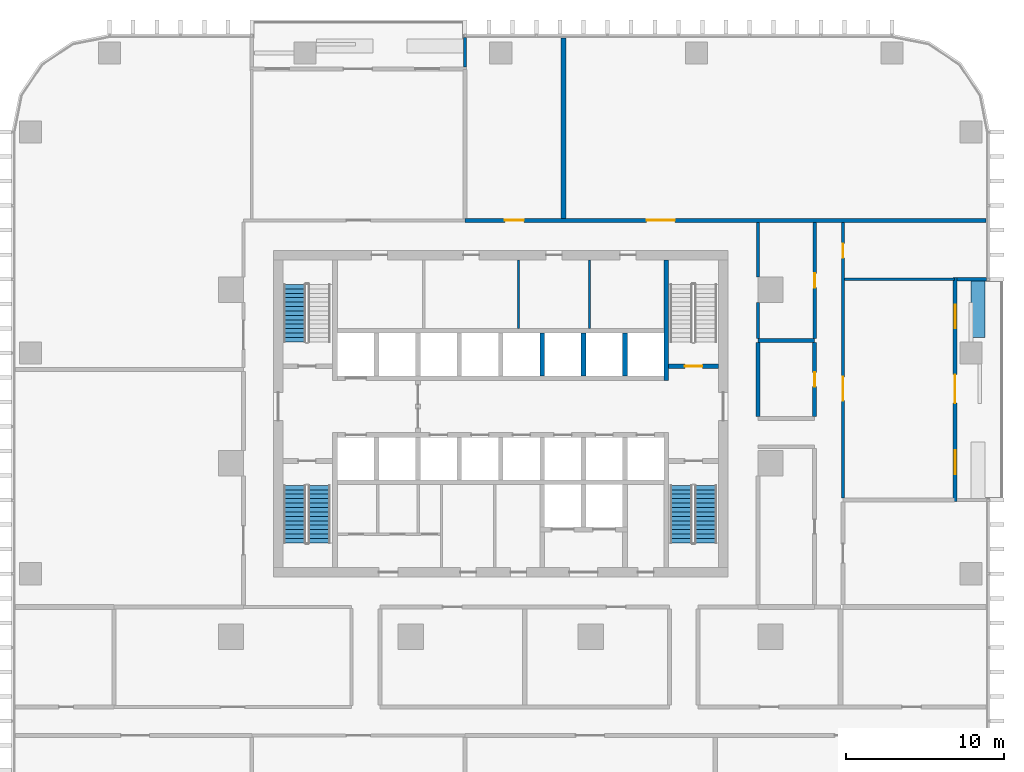
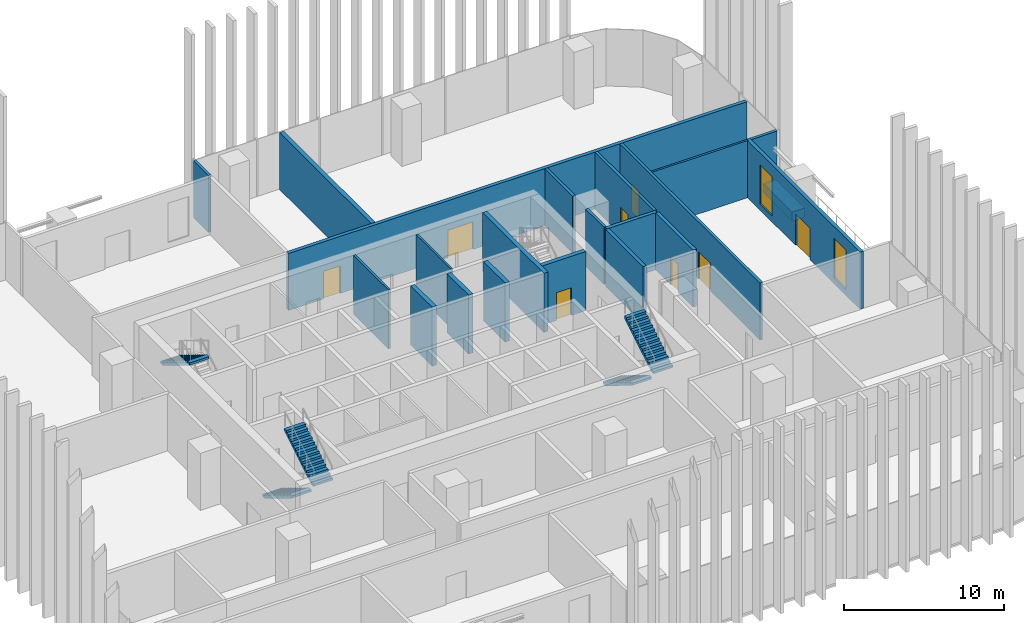
# One storey, part 10 of 17: 21 walls, 8 doors, 5 stair flights, 2 windows, 10 openings, 3 elements without a shape of their own.
"""IFC4 building model written with IfcOpenShell, lengths in metres."""

from ifc_helpers import new_model, si_unit, direction, frame, frame_2d, origin, place, context, subcontext, project, spatial, polyline, rectangle, outline, extrude, material, layer, layer_set, type_object, element, fill, aggregate, save


model = new_model("IFC4")

# Units and contexts
model_context = context("Model", 3, precision=1e-05, world=origin(), true_north=direction((0.0, 1.0)))
body_context = subcontext(model_context, "Body", "Model", "MODEL_VIEW")
ifc_project = project(units=[si_unit("LENGTHUNIT", "METRE"), si_unit("AREAUNIT", "SQUARE_METRE"), si_unit("VOLUMEUNIT", "CUBIC_METRE"), si_unit("PLANEANGLEUNIT", "RADIAN"), si_unit("MASSUNIT", "GRAM", prefix="KILO")], contexts=[model_context])

# Site, building, storey
site_placement = place(None, origin())
site = spatial("IfcSite", under=ifc_project, at=site_placement, CompositionType="ELEMENT")
building_placement = place(site_placement, origin())
building = spatial("IfcBuilding", under=site, at=building_placement, Name="Mopane Tessera Tower", CompositionType="ELEMENT")
storey_placement = place(building_placement, frame((0.0, 0.0, 74.199951171875)))
storey = spatial("IfcBuildingStorey", under=building, at=storey_placement, Name="L14", CompositionType="ELEMENT", Elevation=74.199951171875)

# Walls
ifc_material_1 = material(Name="Fire-rated gypsum board partition")
ifc_layer_1 = layer(ifc_material_1, 0.14990234375)
ifc_layer_set_1 = layer_set([ifc_layer_1], Name="Fire-rated gypsum board partition")
wall_type_1 = type_object("IfcWallType", Name="Core room partition 150 mm", PredefinedType="PARTITIONING", material=ifc_layer_set_1)
for number, where, z_axis, x_axis, name in (
    (1, (1.125, 8.550048828125, 0.0), (0.0, 0.0, 1.0), (0.0, 1.0, 0.0), "L14 Room partition"),
    (2, (5.625, 8.550048828125, 0.0), (0.0, 0.0, 1.0), (0.0, 1.0, 0.0), "L14 Room partition"),
):
    element("IfcWall", number, at=place(storey_placement, frame(where, z_axis=z_axis, x_axis=x_axis)), inside=storey, type_object=wall_type_1, Name=name, PredefinedType="PARTITIONING", context=body_context, shape_type="SweptSolid", body=[
        extrude(rectangle(XDim=4.349853515625, YDim=0.14990234375, at=frame_2d((2.1748046875, 0.0))), origin(), (0.0, 0.0, 1.0), 4.5),
    ])
ifc_material_2 = material(Name="Concrete C60/75", Category="concrete")
ifc_layer_2 = layer(ifc_material_2, 0.300048828125)
ifc_layer_set_2 = layer_set([ifc_layer_2], Name="Concrete C60/75")
wall_type_2 = type_object("IfcWallType", Name="Core spine wall 300 mm", PredefinedType="SHEAR", material=ifc_layer_set_2)
wall_1_placement = place(storey_placement, frame((10.5, 5.25, 0.0), z_axis=(0.0, 0.0, 1.0), x_axis=(0.0, 1.0, 0.0)))
element("IfcWall", 3, at=wall_1_placement, inside=storey, type_object=wall_type_2, Name="L14 Core spine wall", PredefinedType="SHEAR", context=body_context, shape_type="SweptSolid", body=[
    extrude(rectangle(XDim=7.64990234375, YDim=0.300048828125, at=frame_2d((3.824951171875, 0.0))), origin(), (0.0, 0.0, 1.0), 4.5),
])
ifc_material_3 = material(Name="Gypsum board on steel studs, two layers each face, mineral wool infill", Category="steel")
ifc_layer_3 = layer(ifc_material_3, 0.199951171875)
ifc_layer_set_3 = layer_set([ifc_layer_3], Name="Gypsum board on steel studs, two layers each face, mineral wool infill")
wall_type_3 = type_object("IfcWallType", Name="Gypsum board corridor wall 200, rated EI 60", PredefinedType="PARTITIONING", material=ifc_layer_set_3)
wall_2_placement = place(storey_placement, frame((16.300048828125, 7.909912109375, 0.0), z_axis=(0.0, 0.0, 1.0), x_axis=(0.0, 1.0, 0.0)))
element("IfcWall", 4, at=wall_2_placement, inside=storey, type_object=wall_type_3, Name="Partition L14:039", PredefinedType="PARTITIONING", context=body_context, shape_type="SweptSolid", body=[
    extrude(rectangle(XDim=2.2900390625, YDim=0.199951171875, at=frame_2d((1.14501953125, 0.0))), origin(), (0.0, 0.0, 1.0), 4.35009765625),
])
wall_3_placement = place(storey_placement, frame((16.300048828125, 11.800048828125, 0.0), z_axis=(0.0, 0.0, 1.0), x_axis=(0.0, 1.0, 0.0)))
element("IfcWall", 5, at=wall_3_placement, inside=storey, type_object=wall_type_3, Name="Partition L14:040", PredefinedType="PARTITIONING", context=body_context, shape_type="SweptSolid", body=[
    extrude(rectangle(XDim=3.474853515625, YDim=0.199951171875, at=frame_2d((1.7373046875, 0.0))), origin(), (0.0, 0.0, 1.0), 4.35009765625),
])

# Wall, opening, door
wall_4_placement = place(storey_placement, frame((19.89990234375, 7.909912109375, 0.0), z_axis=(0.0, 0.0, 1.0), x_axis=(0.0, 1.0, 0.0)))
wall_4 = element("IfcWall", 6, at=wall_4_placement, inside=storey, type_object=wall_type_3, Name="Partition L14:043", PredefinedType="PARTITIONING", context=body_context, shape_type="SweptSolid", body=[
    extrude(rectangle(XDim=7.364990234375, YDim=0.199951171875, at=frame_2d((3.6826171875, 0.0))), origin(), (0.0, 0.0, 1.0), 4.35009765625),
])
opening_1_placement = place(wall_4_placement, frame((3.232421875, 0.0, 0.0)))
opening_1 = element("IfcOpeningElement", 7, at=opening_1_placement, cuts=wall_4, Name="Opening L14-16", PredefinedType="OPENING", context=body_context, shape_type="SweptSolid", body=[
    extrude(rectangle(XDim=0.89990234375, YDim=2.10009765625, at=frame_2d((0.449951171875, 1.050048828125))), frame((0.0, 0.112060546875, 0.0), z_axis=(0.0, -1.0, 0.0), x_axis=(1.0, 0.0, 0.0)), (0.0, 0.0, 1.0), 0.223876953125),
])
ifc_material_4 = material(Name="Timber veneered steel-framed fire door", Category="steel")
door_type_1 = type_object("IfcDoorType", Name="Fire door FD60 900 x 2100", OperationType="SINGLE_SWING_LEFT", PredefinedType="DOOR", material=ifc_material_4)
door_1_placement = place(opening_1_placement, origin())
door_1 = element("IfcDoor", 8, at=door_1_placement, inside=storey, type_object=door_type_1, Name="Door L14-16", ObjectType="D10A", OperationType="SINGLE_SWING_LEFT", OverallHeight=2.10009765625, OverallWidth=0.89990234375, PredefinedType="DOOR", context=body_context, shape_type="SweptSolid", body=[
    extrude(rectangle(XDim=0.89990234375, YDim=2.10009765625, at=frame_2d((0.449951171875, 1.050048828125))), frame((0.0, 0.02490234375, 0.0), z_axis=(0.0, -1.0, 0.0), x_axis=(1.0, 0.0, 0.0)), (0.0, 0.0, 1.0), 0.050048828125),
])
fill(opening_1, door_1)

# Wall, openings, doors
wall_5_placement = place(storey_placement, frame((21.699951171875, -2.2099609375, 0.0), z_axis=(0.0, 0.0, 1.0), x_axis=(0.0, 1.0, 0.0)))
wall_5 = element("IfcWall", 9, at=wall_5_placement, inside=storey, type_object=wall_type_3, Name="Partition L14:047", PredefinedType="PARTITIONING", context=body_context, shape_type="SweptSolid", body=[
    extrude(rectangle(XDim=17.48486328125, YDim=0.199951171875, at=frame_2d((8.742431640625, 0.0))), origin(), (0.0, 0.0, 1.0), 4.35009765625),
])
opening_2_placement = place(wall_5_placement, frame((15.22998046875, 0.0, 0.0)))
opening_2 = element("IfcOpeningElement", 10, at=opening_2_placement, cuts=wall_5, Name="Opening L14-04", PredefinedType="OPENING", context=body_context, shape_type="SweptSolid", body=[
    extrude(rectangle(XDim=0.89990234375, YDim=2.10009765625, at=frame_2d((0.449951171875, 1.050048828125))), frame((0.0, 0.112060546875, 0.0), z_axis=(0.0, -1.0, 0.0), x_axis=(1.0, 0.0, 0.0)), (0.0, 0.0, 1.0), 0.223876953125),
])
opening_3_placement = place(wall_5_placement, frame((6.1875, 0.0, 0.0)))
opening_3 = element("IfcOpeningElement", 11, at=opening_3_placement, cuts=wall_5, Name="Opening L14-21", PredefinedType="OPENING", context=body_context, shape_type="SweptSolid", body=[
    extrude(rectangle(XDim=1.5, YDim=2.10009765625, at=frame_2d((0.75, 1.050048828125))), frame((0.0, 0.112060546875, 0.0), z_axis=(0.0, -1.0, 0.0), x_axis=(1.0, 0.0, 0.0)), (0.0, 0.0, 1.0), 0.223876953125),
])
door_2_placement = place(opening_2_placement, origin())
door_2 = element("IfcDoor", 12, at=door_2_placement, inside=storey, type_object=door_type_1, Name="Door L14-04", ObjectType="D10A", OperationType="SINGLE_SWING_RIGHT", OverallHeight=2.10009765625, OverallWidth=0.89990234375, PredefinedType="DOOR", context=body_context, shape_type="SweptSolid", body=[
    extrude(rectangle(XDim=0.89990234375, YDim=2.10009765625, at=frame_2d((0.449951171875, 1.050048828125))), frame((0.0, 0.02490234375, 0.0), z_axis=(0.0, -1.0, 0.0), x_axis=(1.0, 0.0, 0.0)), (0.0, 0.0, 1.0), 0.050048828125),
])
fill(opening_2, door_2)
ifc_material_5 = material(Name="Timber veneered steel-framed fire door", Category="steel")
door_type_2 = type_object("IfcDoorType", Name="Fire door pair FD60 1500 x 2100", OperationType="DOUBLE_DOOR_SINGLE_SWING", PredefinedType="DOOR", material=ifc_material_5)
door_3_placement = place(opening_3_placement, origin())
door_3 = element("IfcDoor", 13, at=door_3_placement, inside=storey, type_object=door_type_2, Name="Door L14-21", ObjectType="D17A", OperationType="DOUBLE_DOOR_SINGLE_SWING", OverallHeight=2.10009765625, OverallWidth=1.5, PredefinedType="DOOR", context=body_context, shape_type="SweptSolid", body=[
    extrude(rectangle(XDim=1.5, YDim=2.10009765625, at=frame_2d((0.75, 1.050048828125))), frame((0.0, 0.02490234375, 0.0), z_axis=(0.0, -1.0, 0.0), x_axis=(1.0, 0.0, 0.0)), (0.0, 0.0, 1.0), 0.050048828125),
])
fill(opening_3, door_3)

# Wall
ifc_material_6 = material(Name="Gypsum board on steel studs, mineral wool infill", Category="steel")
ifc_layer_4 = layer(ifc_material_6, 0.14990234375)
ifc_layer_set_4 = layer_set([ifc_layer_4], Name="Gypsum board on steel studs, mineral wool infill")
wall_type_4 = type_object("IfcWallType", Name="Gypsum board partition 150, rated EI 60", PredefinedType="PARTITIONING", material=ifc_layer_set_4)
wall_6_placement = place(storey_placement, frame((21.800048828125, 11.6650390625, 0.0), z_axis=(0.0, 0.0, 1.0), x_axis=(1.0, 0.0, 0.0)))
element("IfcWall", 14, at=wall_6_placement, inside=storey, type_object=wall_type_4, Name="Partition L14:020", PredefinedType="PARTITIONING", context=body_context, shape_type="SweptSolid", body=[
    extrude(rectangle(XDim=6.949951171875, YDim=0.14990234375, at=frame_2d((3.47509765625, 0.0))), origin(), (0.0, 0.0, 1.0), 4.35009765625),
])

# Wall, opening, door
ifc_material_7 = material(Name="Concrete C50/60", Category="concrete")
ifc_layer_5 = layer(ifc_material_7, 0.300048828125)
ifc_layer_set_5 = layer_set([ifc_layer_5], Name="Concrete C50/60")
wall_type_5 = type_object("IfcWallType", Name="Lift and stair shaft wall 300 mm", PredefinedType="SOLIDWALL", material=ifc_layer_set_5)
wall_7_placement = place(storey_placement, frame((10.64990234375, 6.14990234375, 0.0), z_axis=(0.0, 0.0, 1.0), x_axis=(1.0, 0.0, 0.0)))
wall_7 = element("IfcWall", 15, at=wall_7_placement, inside=storey, type_object=wall_type_5, Name="L14 Stair enclosure wall", PredefinedType="SOLIDWALL", context=body_context, shape_type="SweptSolid", body=[
    extrude(rectangle(XDim=3.150146484375, YDim=0.300048828125, at=frame_2d((1.5751953125, 0.0))), origin(), (0.0, 0.0, 1.0), 4.5),
])
opening_4_placement = place(wall_7_placement, frame((1.02490234375, 0.0, 0.0)))
opening_4 = element("IfcOpeningElement", 16, at=opening_4_placement, cuts=wall_7, Name="Opening SD1", PredefinedType="OPENING", context=body_context, shape_type="SweptSolid", body=[
    extrude(rectangle(XDim=1.10009765625, YDim=2.10009765625, at=frame_2d((0.550048828125, 1.050048828125))), frame((0.0, 0.162109375, 0.0), z_axis=(0.0, -1.0, 0.0), x_axis=(1.0, 0.0, 0.0)), (0.0, 0.0, 1.0), 0.323974609375),
])
ifc_material_8 = material(Name="Steel fire door", Category="steel")
door_type_3 = type_object("IfcDoorType", Name="Stair fire door 1100 x 2100", OperationType="SINGLE_SWING_LEFT", PredefinedType="DOOR", material=ifc_material_8)
door_4_placement = place(opening_4_placement, origin())
door_4 = element("IfcDoor", 17, at=door_4_placement, inside=storey, type_object=door_type_3, Name="L14 Stair door ST4", OperationType="SINGLE_SWING_RIGHT", OverallHeight=2.10009765625, OverallWidth=1.10009765625, PredefinedType="DOOR", context=body_context, shape_type="SweptSolid", body=[
    extrude(rectangle(XDim=1.10009765625, YDim=2.10009765625, at=frame_2d((0.550048828125, 1.050048828125))), frame((0.0, 0.02490234375, 0.0), z_axis=(0.0, -1.0, 0.0), x_axis=(1.0, 0.0, 0.0)), (0.0, 0.0, 1.0), 0.050048828125),
])
fill(opening_4, door_4)

# Walls
for number, where, z_axis, x_axis, name in (
    (18, (2.625, 5.550048828125, 0.0), (0.0, 0.0, 1.0), (0.0, 1.0, 0.0), "L14 Lift shaft wall"),
    (19, (5.25, 5.550048828125, 0.0), (0.0, 0.0, 1.0), (0.0, 1.0, 0.0), "L14 Lift shaft wall"),
    (20, (7.875, 5.550048828125, 0.0), (0.0, 0.0, 1.0), (0.0, 1.0, 0.0), "L14 Lift shaft wall"),
):
    element("IfcWall", number, at=place(storey_placement, frame(where, z_axis=z_axis, x_axis=x_axis)), inside=storey, type_object=wall_type_5, Name=name, PredefinedType="SOLIDWALL", context=body_context, shape_type="SweptSolid", body=[
        extrude(rectangle(XDim=2.699951171875, YDim=0.300048828125, at=frame_2d((1.35009765625, 0.0))), origin(), (0.0, 0.0, 1.0), 4.5),
    ])
ifc_material_9 = material(Name="Reinforced concrete C32/40 with waterproofing", Category="concrete")
ifc_layer_6 = layer(ifc_material_9, 0.89990234375)
ifc_layer_set_6 = layer_set([ifc_layer_6], Name="Reinforced concrete C32/40 with waterproofing")
wall_type_6 = type_object("IfcWallType", Name="Planter trough 3600 x 900", PredefinedType="STANDARD", material=ifc_layer_set_6)
wall_8_placement = place(storey_placement, frame((30.25, 7.966552734375, 0.0), z_axis=(0.0, 0.0, 1.0), x_axis=(0.0, 1.0, 0.0)))
element("IfcWall", 21, at=wall_8_placement, inside=storey, type_object=wall_type_6, Name="e:nw:L14:N1:pl1", PredefinedType="STANDARD", context=body_context, shape_type="SweptSolid", body=[
    extrude(rectangle(XDim=3.60009765625, YDim=0.89990234375, at=frame_2d((1.800048828125, 0.0))), origin(), (0.0, 0.0, 1.0), 0.699951171875),
])
ifc_material_10 = material(Name="Plastered concrete blockwork C20/25", Category="masonry")
ifc_layer_7 = layer(ifc_material_10, 0.300048828125)
ifc_layer_set_7 = layer_set([ifc_layer_7], Name="Plastered concrete blockwork C20/25")
wall_type_7 = type_object("IfcWallType", Name="Plastered blockwork separation wall 300, rated EI 120", PredefinedType="PARTITIONING", material=ifc_layer_set_7)
wall_9_placement = place(storey_placement, frame((3.985107421875, 15.52490234375, 0.0), z_axis=(0.0, 0.0, 1.0), x_axis=(0.0, 1.0, 0.0)))
element("IfcWall", 22, at=wall_9_placement, inside=storey, type_object=wall_type_7, Name="Partition L14:035", PredefinedType="PARTITIONING", context=body_context, shape_type="SweptSolid", body=[
    extrude(rectangle(XDim=11.425048828125, YDim=0.300048828125, at=frame_2d((5.71240234375, 0.0))), origin(), (0.0, 0.0, 1.0), 4.35009765625),
])
ifc_material_11 = material(Name="Plastered concrete blockwork C20/25", Category="masonry")
ifc_layer_8 = layer(ifc_material_11, 0.25)
ifc_layer_set_8 = layer_set([ifc_layer_8], Name="Plastered concrete blockwork C20/25")
wall_type_8 = type_object("IfcWallType", Name="Plastered blockwork wall 250, rated EI 120", PredefinedType="PARTITIONING", material=ifc_layer_set_8)
wall_10_placement = place(storey_placement, frame((16.300048828125, 7.784912109375, 0.0), z_axis=(0.0, 0.0, 1.0), x_axis=(1.0, 0.0, 0.0)))
element("IfcWall", 23, at=wall_10_placement, inside=storey, type_object=wall_type_8, Name="Partition L14:019", PredefinedType="PARTITIONING", context=body_context, shape_type="SweptSolid", body=[
    extrude(rectangle(XDim=3.599853515625, YDim=0.25, at=frame_2d((1.7998046875, 0.0))), origin(), (0.0, 0.0, 1.0), 4.35009765625),
])

# Wall, openings, doors
wall_11_placement = place(storey_placement, frame((-2.2548828125, 15.39990234375, 0.0), z_axis=(0.0, 0.0, 1.0), x_axis=(1.0, 0.0, 0.0)))
wall_11 = element("IfcWall", 24, at=wall_11_placement, inside=storey, type_object=wall_type_8, Name="Partition L14:022", PredefinedType="PARTITIONING", context=body_context, shape_type="SweptSolid", body=[
    extrude(rectangle(XDim=33.0048828125, YDim=0.25, at=frame_2d((16.50244140625, 0.0))), origin(), (0.0, 0.0, 1.0), 4.35009765625),
])
opening_5_placement = place(wall_11_placement, frame((11.49755859375, 0.0, 0.0)))
opening_5 = element("IfcOpeningElement", 25, at=opening_5_placement, cuts=wall_11, Name="Opening L14-14", PredefinedType="OPENING", context=body_context, shape_type="SweptSolid", body=[
    extrude(rectangle(XDim=1.800048828125, YDim=2.10009765625, at=frame_2d((0.89990234375, 1.050048828125))), frame((0.0, 0.136962890625, 0.0), z_axis=(0.0, -1.0, 0.0), x_axis=(1.0, 0.0, 0.0)), (0.0, 0.0, 1.0), 0.27392578125),
])
opening_6_placement = place(wall_11_placement, frame((2.52001953125, 0.0, 0.0)))
opening_6 = element("IfcOpeningElement", 26, at=opening_6_placement, cuts=wall_11, Name="Opening L14-17", PredefinedType="OPENING", context=body_context, shape_type="SweptSolid", body=[
    extrude(rectangle(XDim=1.199951171875, YDim=2.10009765625, at=frame_2d((0.60009765625, 1.050048828125))), frame((0.0, 0.136962890625, 0.0), z_axis=(0.0, -1.0, 0.0), x_axis=(1.0, 0.0, 0.0)), (0.0, 0.0, 1.0), 0.27392578125),
])
ifc_material_12 = material(Name="Timber veneered steel-framed fire door", Category="steel")
door_type_4 = type_object("IfcDoorType", Name="Fire door FD120 1200 x 2100", OperationType="SINGLE_SWING_LEFT", PredefinedType="DOOR", material=ifc_material_12)
door_5_placement = place(opening_6_placement, origin())
door_5 = element("IfcDoor", 27, at=door_5_placement, inside=storey, type_object=door_type_4, Name="Door L14-17", ObjectType="D15B", OperationType="SINGLE_SWING_LEFT", OverallHeight=2.10009765625, OverallWidth=1.199951171875, PredefinedType="DOOR", context=body_context, shape_type="SweptSolid", body=[
    extrude(rectangle(XDim=1.199951171875, YDim=2.10009765625, at=frame_2d((0.60009765625, 1.050048828125))), frame((0.0, 0.02490234375, 0.0), z_axis=(0.0, -1.0, 0.0), x_axis=(1.0, 0.0, 0.0)), (0.0, 0.0, 1.0), 0.050048828125),
])
fill(opening_6, door_5)
ifc_material_13 = material(Name="Timber veneered steel-framed fire door", Category="steel")
door_type_5 = type_object("IfcDoorType", Name="Fire door pair FD120 1800 x 2100", OperationType="DOUBLE_DOOR_SINGLE_SWING", PredefinedType="DOOR", material=ifc_material_13)
door_6_placement = place(opening_5_placement, origin())
door_6 = element("IfcDoor", 28, at=door_6_placement, inside=storey, type_object=door_type_5, Name="Door L14-14", ObjectType="D20B", OperationType="DOUBLE_DOOR_SINGLE_SWING", OverallHeight=2.10009765625, OverallWidth=1.800048828125, PredefinedType="DOOR", context=body_context, shape_type="SweptSolid", body=[
    extrude(rectangle(XDim=1.800048828125, YDim=2.10009765625, at=frame_2d((0.89990234375, 1.050048828125))), frame((0.0, 0.02490234375, 0.0), z_axis=(0.0, -1.0, 0.0), x_axis=(1.0, 0.0, 0.0)), (0.0, 0.0, 1.0), 0.050048828125),
])
fill(opening_5, door_6)

# Wall
wall_12_placement = place(storey_placement, frame((16.300048828125, 2.97509765625, 0.0), z_axis=(0.0, 0.0, 1.0), x_axis=(0.0, 1.0, 0.0)))
element("IfcWall", 29, at=wall_12_placement, inside=storey, type_object=wall_type_8, Name="Partition L14:042", PredefinedType="PARTITIONING", context=body_context, shape_type="SweptSolid", body=[
    extrude(rectangle(XDim=4.684814453125, YDim=0.25, at=frame_2d((2.34228515625, 0.0))), origin(), (0.0, 0.0, 1.0), 4.35009765625),
])

# Wall, opening, door
wall_13_placement = place(storey_placement, frame((19.89990234375, 2.97509765625, 0.0), z_axis=(0.0, 0.0, 1.0), x_axis=(0.0, 1.0, 0.0)))
wall_13 = element("IfcWall", 30, at=wall_13_placement, inside=storey, type_object=wall_type_8, Name="Partition L14:045", PredefinedType="PARTITIONING", context=body_context, shape_type="SweptSolid", body=[
    extrude(rectangle(XDim=4.684814453125, YDim=0.25, at=frame_2d((2.34228515625, 0.0))), origin(), (0.0, 0.0, 1.0), 4.35009765625),
])
opening_7_placement = place(wall_13_placement, frame((1.892578125, 0.0, 0.0)))
opening_7 = element("IfcOpeningElement", 31, at=opening_7_placement, cuts=wall_13, Name="Opening L14-09", PredefinedType="OPENING", context=body_context, shape_type="SweptSolid", body=[
    extrude(rectangle(XDim=0.89990234375, YDim=2.10009765625, at=frame_2d((0.449951171875, 1.050048828125))), frame((0.0, 0.136962890625, 0.0), z_axis=(0.0, -1.0, 0.0), x_axis=(1.0, 0.0, 0.0)), (0.0, 0.0, 1.0), 0.27392578125),
])
ifc_material_14 = material(Name="Timber veneered steel-framed fire door", Category="steel")
door_type_6 = type_object("IfcDoorType", Name="Fire door FD120 900 x 2100", OperationType="SINGLE_SWING_LEFT", PredefinedType="DOOR", material=ifc_material_14)
door_7_placement = place(opening_7_placement, origin())
door_7 = element("IfcDoor", 32, at=door_7_placement, inside=storey, type_object=door_type_6, Name="Door L14-09", ObjectType="D10B", OperationType="SINGLE_SWING_LEFT", OverallHeight=2.10009765625, OverallWidth=0.89990234375, PredefinedType="DOOR", context=body_context, shape_type="SweptSolid", body=[
    extrude(rectangle(XDim=0.89990234375, YDim=2.10009765625, at=frame_2d((0.449951171875, 1.050048828125))), frame((0.0, 0.02490234375, 0.0), z_axis=(0.0, -1.0, 0.0), x_axis=(1.0, 0.0, 0.0)), (0.0, 0.0, 1.0), 0.050048828125),
])
fill(opening_7, door_7)

# Walls
ifc_material_15 = material(Name="Blockwork with glazed tile facing", Category="masonry")
ifc_layer_9 = layer(ifc_material_15, 0.199951171875)
ifc_layer_set_9 = layer_set([ifc_layer_9], Name="Blockwork with glazed tile facing")
wall_type_9 = type_object("IfcWallType", Name="Terrace cheek wall 200", PredefinedType="STANDARD", material=ifc_layer_set_9)
for number, where, z_axis, x_axis, name in (
    (33, (30.800048828125, 11.666748046875, 0.0), (0.0, 0.0, 1.0), (-1.0, 0.0, 0.0), "e:nw:L14:N1:cheekb"),
    (34, (-2.254638671875, 27.0, 0.0), (0.0, 0.0, 1.0), (0.0, -1.0, 0.0), "e:nw:L14:N2:cheeka"),
):
    element("IfcWall", number, at=place(storey_placement, frame(where, z_axis=z_axis, x_axis=x_axis)), inside=storey, type_object=wall_type_9, Name=name, PredefinedType="STANDARD", context=body_context, shape_type="SweptSolid", body=[
        extrude(rectangle(XDim=1.875, YDim=0.199951171875, at=frame_2d((0.9375, 0.0))), origin(), (0.0, 0.0, 1.0), 4.35009765625),
    ])

# Wall, openings, windows, door
ifc_material_16 = material(Name="Blockwork with ochre glazed tile facing", Category="masonry")
ifc_layer_10 = layer(ifc_material_16, 0.25)
ifc_layer_set_10 = layer_set([ifc_layer_10], Name="Blockwork with ochre glazed tile facing")
wall_type_10 = type_object("IfcWallType", Name="Tile-clad external wall 250, ochre", PredefinedType="STANDARD", material=ifc_layer_set_10)
wall_14_placement = place(storey_placement, frame((28.800048828125, -2.433349609375, 0.0), z_axis=(0.0, 0.0, 1.0), x_axis=(0.0, 1.0, 0.0)))
wall_14 = element("IfcWall", 35, at=wall_14_placement, inside=storey, type_object=wall_type_10, Name="e:nw:L14:N1:back", PredefinedType="STANDARD", context=body_context, shape_type="SweptSolid", body=[
    extrude(rectangle(XDim=14.199951171875, YDim=0.25, at=frame_2d((7.10009765625, 0.0))), origin(), (0.0, 0.0, 1.0), 4.35009765625),
])
opening_8_placement = place(wall_14_placement, frame((1.75, 0.0, 0.449951171875)))
opening_8 = element("IfcOpeningElement", 36, at=opening_8_placement, cuts=wall_14, Name="Opening NW141A", PredefinedType="OPENING", context=body_context, shape_type="SweptSolid", body=[
    extrude(rectangle(XDim=1.5, YDim=3.0, at=frame_2d((0.75, 1.5))), frame((0.0, 0.136962890625, 0.0), z_axis=(0.0, -1.0, 0.0), x_axis=(1.0, 0.0, 0.0)), (0.0, 0.0, 1.0), 0.27392578125),
])
opening_9_placement = place(wall_14_placement, frame((6.25, 0.0, 0.0)))
opening_9 = element("IfcOpeningElement", 37, at=opening_9_placement, cuts=wall_14, Name="Opening ND141", PredefinedType="OPENING", context=body_context, shape_type="SweptSolid", body=[
    extrude(rectangle(XDim=1.800048828125, YDim=2.39990234375, at=frame_2d((0.89990234375, 1.199951171875))), frame((0.0, 0.136962890625, 0.0), z_axis=(0.0, -1.0, 0.0), x_axis=(1.0, 0.0, 0.0)), (0.0, 0.0, 1.0), 0.27392578125),
])
opening_10_placement = place(wall_14_placement, frame((11.0, 0.0, 0.449951171875)))
opening_10 = element("IfcOpeningElement", 38, at=opening_10_placement, cuts=wall_14, Name="Opening NW141B", PredefinedType="OPENING", context=body_context, shape_type="SweptSolid", body=[
    extrude(rectangle(XDim=1.5, YDim=3.0, at=frame_2d((0.75, 1.5))), frame((0.0, 0.136962890625, 0.0), z_axis=(0.0, -1.0, 0.0), x_axis=(1.0, 0.0, 0.0)), (0.0, 0.0, 1.0), 0.27392578125),
])
ifc_material_17 = material(Name="Clear laminated glass", Category="glass")
window_type = type_object("IfcWindowType", Name="Fixed window 1500 x 3000", PartitioningType="SINGLE_PANEL", PredefinedType="WINDOW", material=ifc_material_17)
window_1_placement = place(opening_8_placement, origin())
window_1 = element("IfcWindow", 39, at=window_1_placement, inside=storey, type_object=window_type, Name="e:nw:L14:N1:win0", OverallHeight=3.0, OverallWidth=1.5, PartitioningType="SINGLE_PANEL", PredefinedType="WINDOW", context=body_context, shape_type="SweptSolid", body=[
    extrude(rectangle(XDim=1.5, YDim=3.0, at=frame_2d((0.75, 1.5))), frame((0.0, 0.030029296875, 0.0), z_axis=(0.0, -1.0, 0.0), x_axis=(1.0, 0.0, 0.0)), (0.0, 0.0, 1.0), 0.06005859375),
])
fill(opening_8, window_1)
window_2_placement = place(opening_10_placement, origin())
window_2 = element("IfcWindow", 40, at=window_2_placement, inside=storey, type_object=window_type, Name="e:nw:L14:N1:win2", OverallHeight=3.0, OverallWidth=1.5, PartitioningType="SINGLE_PANEL", PredefinedType="WINDOW", context=body_context, shape_type="SweptSolid", body=[
    extrude(rectangle(XDim=1.5, YDim=3.0, at=frame_2d((0.75, 1.5))), frame((0.0, 0.030029296875, 0.0), z_axis=(0.0, -1.0, 0.0), x_axis=(1.0, 0.0, 0.0)), (0.0, 0.0, 1.0), 0.06005859375),
])
fill(opening_10, window_2)
ifc_material_18 = material(Name="Aluminium and clear glass", Category="aluminium")
door_type_7 = type_object("IfcDoorType", Name="Terrace double door 1800 x 2400", OperationType="DOUBLE_DOOR_SINGLE_SWING", PredefinedType="DOOR", material=ifc_material_18)
door_8_placement = place(opening_9_placement, origin())
door_8 = element("IfcDoor", 41, at=door_8_placement, inside=storey, type_object=door_type_7, Name="e:nw:L14:N1:door", ObjectType="D1", OperationType="DOUBLE_DOOR_SINGLE_SWING", OverallHeight=2.39990234375, OverallWidth=1.800048828125, PredefinedType="DOOR", context=body_context, shape_type="SweptSolid", body=[
    extrude(rectangle(XDim=1.800048828125, YDim=2.39990234375, at=frame_2d((0.89990234375, 1.199951171875))), frame((0.0, 0.02490234375, 0.0), z_axis=(0.0, -1.0, 0.0), x_axis=(1.0, 0.0, 0.0)), (0.0, 0.0, 1.0), 0.050048828125),
])
fill(opening_9, door_8)

# Stair, stair flights
ifc_material_19 = material(Name="Concrete C50/60", Category="concrete")
stair_type = type_object("IfcStairType", Name="Escape stair 1400 mm, riser 171 mm", PredefinedType="HALF_TURN_STAIR", material=ifc_material_19)
stair_1_placement = place(storey_placement, origin())
stair_1 = element("IfcStair", 42, at=stair_1_placement, inside=storey, type_object=stair_type, Name="L14 Escape stair south-west", PredefinedType="HALF_TURN_STAIR")
ifc_material_20 = material(Name="Concrete C50/60", Category="concrete")
stair_flight_type = type_object("IfcStairFlightType", Name="Escape stair flight 1400 mm", PredefinedType="STRAIGHT", material=ifc_material_20)
stair_flight_1_placement = place(storey_placement, frame((-13.050048828125, -1.39990234375, 0.0), z_axis=(0.0, 0.0, 1.0), x_axis=(0.0, -1.0, 0.0)))
stair_flight_1 = element("IfcStairFlight", 43, at=stair_flight_1_placement, type_object=stair_flight_type, Name="ST1 flight 1", NumberOfRisers=14, NumberOfTreads=13, PredefinedType="STRAIGHT", RiserHeight=0.171428571, TreadLength=0.28, context=body_context, shape_type="SweptSolid", body=[
    extrude(outline(polyline([(0.0, 0.0), (0.0, 0.17138671875), (0.280029296875, 0.17138671875), (0.280029296875, 0.3427734375), (0.56005859375, 0.3427734375), (0.56005859375, 0.514404296875), (0.840087890625, 0.514404296875), (0.840087890625, 0.685791015625), (1.1201171875, 0.685791015625), (1.1201171875, 0.857177734375), (1.39990234375, 0.857177734375), (1.39990234375, 1.028564453125), (1.679931640625, 1.028564453125), (1.679931640625, 1.199951171875), (1.9599609375, 1.199951171875), (1.9599609375, 1.371337890625), (2.239990234375, 1.371337890625), (2.239990234375, 1.54296875), (2.52001953125, 1.54296875), (2.52001953125, 1.71435546875), (2.800048828125, 1.71435546875), (2.800048828125, 1.8857421875), (3.080078125, 1.8857421875), (3.080078125, 2.05712890625), (3.360107421875, 2.05712890625), (3.360107421875, 2.228515625), (3.639892578125, 2.228515625), (3.639892578125, 2.39990234375), (3.639892578125, 2.052734375), (0.287109375, 0.0), (0.0, 0.0)])), frame((0.0, 0.699951171875, 0.0), z_axis=(0.0, -1.0, 0.0), x_axis=(1.0, 0.0, 0.0)), (0.0, 0.0, 1.0), 1.39990234375),
])
stair_flight_2_placement = place(storey_placement, frame((-11.5, -5.0400390625, 2.400146484375), z_axis=(0.0, 0.0, 1.0), x_axis=(0.0, 1.0, 0.0)))
stair_flight_2 = element("IfcStairFlight", 44, at=stair_flight_2_placement, type_object=stair_flight_type, Name="ST1 flight 2", NumberOfRisers=14, NumberOfTreads=13, PredefinedType="STRAIGHT", RiserHeight=0.171428571, TreadLength=0.28, context=body_context, shape_type="SweptSolid", body=[
    extrude(outline(polyline([(0.0, 0.0), (0.0, 0.17138671875), (0.280029296875, 0.17138671875), (0.280029296875, 0.3427734375), (0.56005859375, 0.3427734375), (0.56005859375, 0.514404296875), (0.840087890625, 0.514404296875), (0.840087890625, 0.685791015625), (1.1201171875, 0.685791015625), (1.1201171875, 0.857177734375), (1.39990234375, 0.857177734375), (1.39990234375, 1.028564453125), (1.679931640625, 1.028564453125), (1.679931640625, 1.199951171875), (1.9599609375, 1.199951171875), (1.9599609375, 1.371337890625), (2.239990234375, 1.371337890625), (2.239990234375, 1.54296875), (2.52001953125, 1.54296875), (2.52001953125, 1.71435546875), (2.800048828125, 1.71435546875), (2.800048828125, 1.8857421875), (3.080078125, 1.8857421875), (3.080078125, 2.05712890625), (3.360107421875, 2.05712890625), (3.360107421875, 2.228515625), (3.639892578125, 2.228515625), (3.639892578125, 2.39990234375), (3.639892578125, 2.052734375), (0.287109375, 0.0), (0.0, 0.0)])), frame((0.0, 0.699951171875, 0.0), z_axis=(0.0, -1.0, 0.0), x_axis=(1.0, 0.0, 0.0)), (0.0, 0.0, 1.0), 1.39990234375),
])
aggregate(stair_1, [stair_flight_1, stair_flight_2])

# Stair, stair flight
stair_2_placement = place(storey_placement, origin())
stair_2 = element("IfcStair", 45, at=stair_2_placement, inside=storey, type_object=stair_type, Name="L14 Escape stair north-west", PredefinedType="HALF_TURN_STAIR")
stair_flight_3_placement = place(storey_placement, frame((-13.050048828125, 11.340087890625, 2.400146484375), z_axis=(0.0, 0.0, 1.0), x_axis=(0.0, -1.0, 0.0)))
stair_flight_3 = element("IfcStairFlight", 46, at=stair_flight_3_placement, type_object=stair_flight_type, Name="ST2 flight 2", NumberOfRisers=14, NumberOfTreads=13, PredefinedType="STRAIGHT", RiserHeight=0.171428571, TreadLength=0.28, context=body_context, shape_type="SweptSolid", body=[
    extrude(outline(polyline([(0.0, 0.0), (0.0, 0.17138671875), (0.280029296875, 0.17138671875), (0.280029296875, 0.3427734375), (0.56005859375, 0.3427734375), (0.56005859375, 0.514404296875), (0.840087890625, 0.514404296875), (0.840087890625, 0.685791015625), (1.1201171875, 0.685791015625), (1.1201171875, 0.857177734375), (1.39990234375, 0.857177734375), (1.39990234375, 1.028564453125), (1.679931640625, 1.028564453125), (1.679931640625, 1.199951171875), (1.9599609375, 1.199951171875), (1.9599609375, 1.371337890625), (2.239990234375, 1.371337890625), (2.239990234375, 1.54296875), (2.52001953125, 1.54296875), (2.52001953125, 1.71435546875), (2.800048828125, 1.71435546875), (2.800048828125, 1.8857421875), (3.080078125, 1.8857421875), (3.080078125, 2.05712890625), (3.360107421875, 2.05712890625), (3.360107421875, 2.228515625), (3.639892578125, 2.228515625), (3.639892578125, 2.39990234375), (3.639892578125, 2.052734375), (0.287109375, 0.0), (0.0, 0.0)])), frame((0.0, 0.699951171875, 0.0), z_axis=(0.0, -1.0, 0.0), x_axis=(1.0, 0.0, 0.0)), (0.0, 0.0, 1.0), 1.39990234375),
])
aggregate(stair_2, [stair_flight_3])

# Stair, stair flights
stair_3_placement = place(storey_placement, origin())
stair_3 = element("IfcStair", 47, at=stair_3_placement, inside=storey, type_object=stair_type, Name="L14 Escape stair south-east", PredefinedType="HALF_TURN_STAIR")
stair_flight_4_placement = place(storey_placement, frame((11.449951171875, -1.39990234375, 0.0), z_axis=(0.0, 0.0, 1.0), x_axis=(0.0, -1.0, 0.0)))
stair_flight_4 = element("IfcStairFlight", 48, at=stair_flight_4_placement, type_object=stair_flight_type, Name="ST3 flight 1", NumberOfRisers=14, NumberOfTreads=13, PredefinedType="STRAIGHT", RiserHeight=0.171428571, TreadLength=0.28, context=body_context, shape_type="SweptSolid", body=[
    extrude(outline(polyline([(0.0, 0.0), (0.0, 0.17138671875), (0.280029296875, 0.17138671875), (0.280029296875, 0.3427734375), (0.56005859375, 0.3427734375), (0.56005859375, 0.514404296875), (0.840087890625, 0.514404296875), (0.840087890625, 0.685791015625), (1.1201171875, 0.685791015625), (1.1201171875, 0.857177734375), (1.39990234375, 0.857177734375), (1.39990234375, 1.028564453125), (1.679931640625, 1.028564453125), (1.679931640625, 1.199951171875), (1.9599609375, 1.199951171875), (1.9599609375, 1.371337890625), (2.239990234375, 1.371337890625), (2.239990234375, 1.54296875), (2.52001953125, 1.54296875), (2.52001953125, 1.71435546875), (2.800048828125, 1.71435546875), (2.800048828125, 1.8857421875), (3.080078125, 1.8857421875), (3.080078125, 2.05712890625), (3.360107421875, 2.05712890625), (3.360107421875, 2.228515625), (3.639892578125, 2.228515625), (3.639892578125, 2.39990234375), (3.639892578125, 2.052734375), (0.287109375, 0.0), (0.0, 0.0)])), frame((0.0, 0.699951171875, 0.0), z_axis=(0.0, -1.0, 0.0), x_axis=(1.0, 0.0, 0.0)), (0.0, 0.0, 1.0), 1.39990234375),
])
stair_flight_5_placement = place(storey_placement, frame((13.0, -5.0400390625, 2.400146484375), z_axis=(0.0, 0.0, 1.0), x_axis=(0.0, 1.0, 0.0)))
stair_flight_5 = element("IfcStairFlight", 49, at=stair_flight_5_placement, type_object=stair_flight_type, Name="ST3 flight 2", NumberOfRisers=14, NumberOfTreads=13, PredefinedType="STRAIGHT", RiserHeight=0.171428571, TreadLength=0.28, context=body_context, shape_type="SweptSolid", body=[
    extrude(outline(polyline([(0.0, 0.0), (0.0, 0.17138671875), (0.280029296875, 0.17138671875), (0.280029296875, 0.3427734375), (0.56005859375, 0.3427734375), (0.56005859375, 0.514404296875), (0.840087890625, 0.514404296875), (0.840087890625, 0.685791015625), (1.1201171875, 0.685791015625), (1.1201171875, 0.857177734375), (1.39990234375, 0.857177734375), (1.39990234375, 1.028564453125), (1.679931640625, 1.028564453125), (1.679931640625, 1.199951171875), (1.9599609375, 1.199951171875), (1.9599609375, 1.371337890625), (2.239990234375, 1.371337890625), (2.239990234375, 1.54296875), (2.52001953125, 1.54296875), (2.52001953125, 1.71435546875), (2.800048828125, 1.71435546875), (2.800048828125, 1.8857421875), (3.080078125, 1.8857421875), (3.080078125, 2.05712890625), (3.360107421875, 2.05712890625), (3.360107421875, 2.228515625), (3.639892578125, 2.228515625), (3.639892578125, 2.39990234375), (3.639892578125, 2.052734375), (0.287109375, 0.0), (0.0, 0.0)])), frame((0.0, 0.699951171875, 0.0), z_axis=(0.0, -1.0, 0.0), x_axis=(1.0, 0.0, 0.0)), (0.0, 0.0, 1.0), 1.39990234375),
])
aggregate(stair_3, [stair_flight_4, stair_flight_5])

save(model, "model.ifc")
